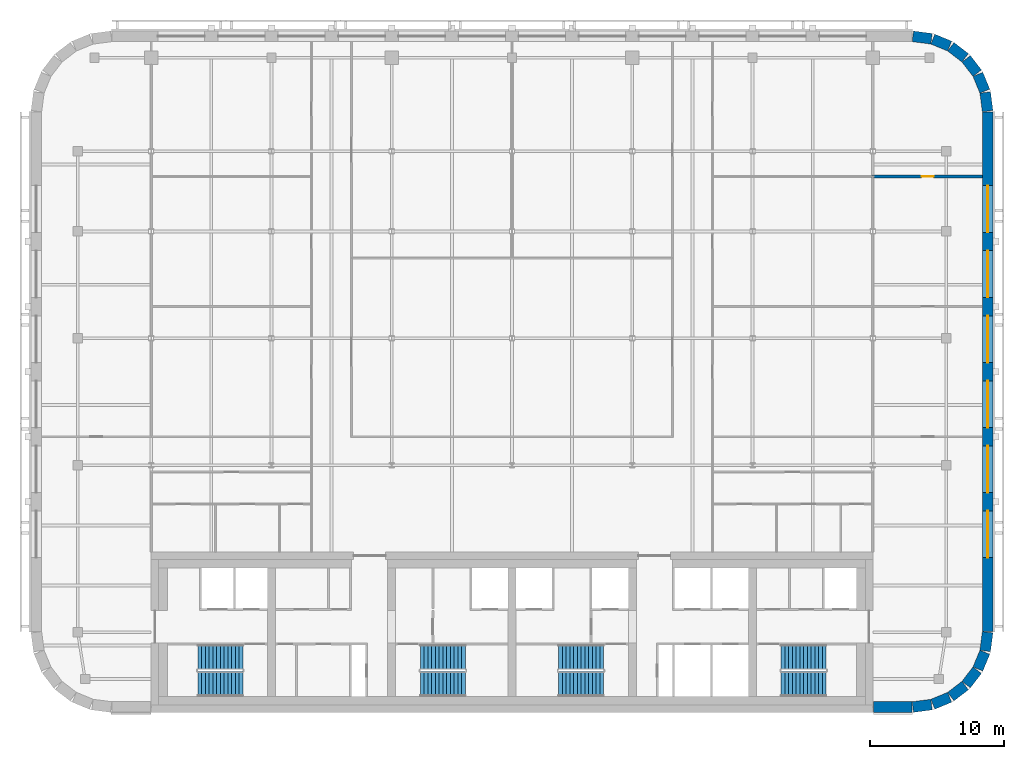
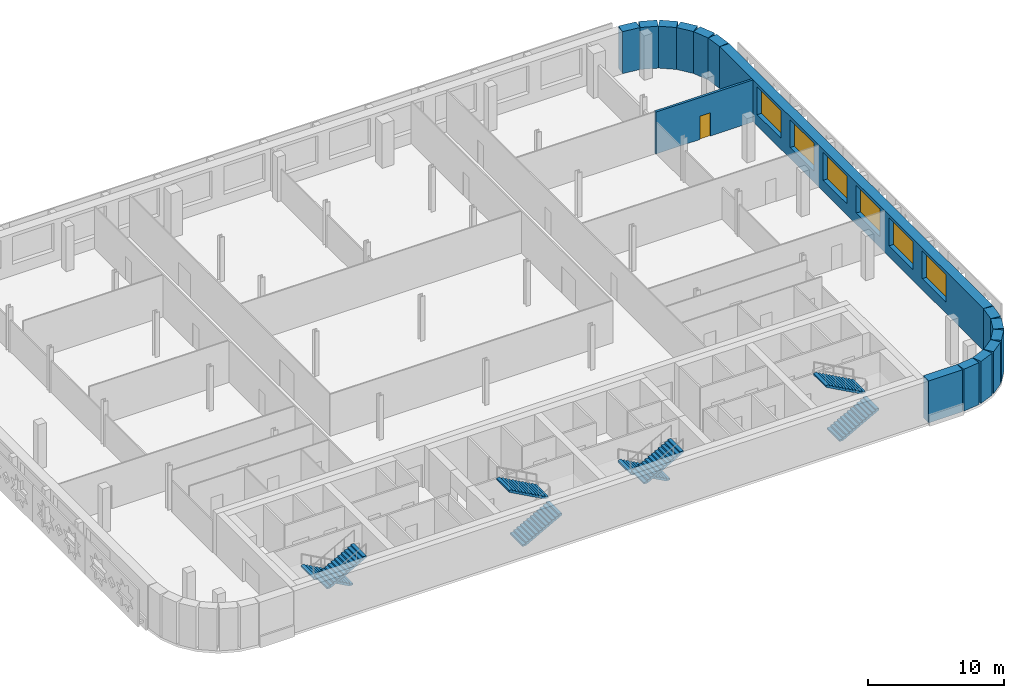
# One storey, part 11 of 16: 15 walls, 8 stair flights, 6 windows, 1 door, 7 openings, 4 elements without a shape of their own.
"""IFC4 building model written with IfcOpenShell, lengths in metres."""

import ifcopenshell
import ifcopenshell.guid

model = None  # the IFC model being written
_history = None  # IfcOwnerHistory: only IFC2X3 demands one
_inside = {}  # id of a spatial element -> (the spatial element, [elements in it])
_under = {}  # id of a project, library or spatial element -> (it, [spatial elements below it])
_declared = {}  # id of a project -> (the project, [libraries it declares])
_typed = {}  # id of a type object -> (the type object, [elements of that type])
_made_of = {}  # id of a material, layer set ... -> (it, [elements and type objects made of it])


def new_model(schema):
    """Start an empty IFC model of exactly this schema.

    Asked for "IFC4X3", IfcOpenShell would pick the latest addendum, in which some entities
    have other attributes; the version numbers below select the first issue.
    IFC2X3 requires an IfcOwnerHistory on every rooted entity: one is made here for all.
    """
    global model, _history
    if schema == "IFC4X3":
        model = ifcopenshell.file(schema_version=(4, 3, 0, 0))
    else:
        model = ifcopenshell.file(schema=schema)
    _inside.clear()
    _under.clear()
    _declared.clear()
    _typed.clear()
    _made_of.clear()
    _history = None
    if model.schema == "IFC2X3":
        org = make("IfcOrganization", Name="unknown")
        user = make(
            "IfcPersonAndOrganization",
            ThePerson=make("IfcPerson", FamilyName="unknown"),
            TheOrganization=org,
        )
        app = make(
            "IfcApplication",
            ApplicationDeveloper=org,
            Version="unknown",
            ApplicationFullName="unknown",
            ApplicationIdentifier="unknown",
        )
        _history = make(
            "IfcOwnerHistory",
            OwningUser=user,
            OwningApplication=app,
            ChangeAction="ADDED",
            CreationDate=0,
        )
    return model


def make(cls, **values):
    """One entity of the class cls with the attributes given. An attribute that is None is left unset."""
    return model.create_entity(
        cls, **{name: value for name, value in values.items() if value is not None}
    )


def rooted(cls, **values):
    """An entity with a GlobalId (a new one), such as an element, a storey or a relation."""
    return make(cls, GlobalId=ifcopenshell.guid.new(), OwnerHistory=_history, **values)


def si_unit(unit_type, name, prefix=None):
    """IfcSIUnit, for example si_unit("LENGTHUNIT", "METRE", prefix="MILLI")."""
    return make("IfcSIUnit", UnitType=unit_type, Prefix=prefix, Name=name)


def assignment(units):
    """IfcUnitAssignment: the units of a project."""
    return None if units is None else make("IfcUnitAssignment", Units=units)


def point(xyz):
    """IfcCartesianPoint."""
    return None if xyz is None else make("IfcCartesianPoint", Coordinates=xyz)


def direction(xyz):
    """IfcDirection."""
    return None if xyz is None else make("IfcDirection", DirectionRatios=xyz)


def frame(location, z_axis=None, x_axis=None):
    """IfcAxis2Placement3D, a coordinate frame: its origin and axes. An axis left out is left unset."""
    return make(
        "IfcAxis2Placement3D",
        Location=point(location),
        Axis=direction(z_axis),
        RefDirection=direction(x_axis),
    )


def frame_2d(location, x_axis=None):
    """IfcAxis2Placement2D, a coordinate frame in the plane: its origin and x axis."""
    return make(
        "IfcAxis2Placement2D", Location=point(location), RefDirection=direction(x_axis)
    )


def origin():
    """The frame at (0, 0, 0) with its axes left unset."""
    return frame((0.0, 0.0, 0.0))


def place(relative_to, where):
    """IfcLocalPlacement: puts the frame where relative to a parent placement (None: the world)."""
    return make(
        "IfcLocalPlacement", PlacementRelTo=relative_to, RelativePlacement=where
    )


def context(
    kind, dimensions, precision=None, world=None, true_north=None, identifier=None
):
    """IfcGeometricRepresentationContext, for example the 3D "Model" context."""
    return make(
        "IfcGeometricRepresentationContext",
        ContextIdentifier=identifier,
        ContextType=kind,
        CoordinateSpaceDimension=dimensions,
        Precision=precision,
        WorldCoordinateSystem=world,
        TrueNorth=true_north,
    )


def subcontext(parent, identifier, kind, view, scale=None):
    """IfcGeometricRepresentationSubContext, for example "Body" below "Model"."""
    return make(
        "IfcGeometricRepresentationSubContext",
        ContextIdentifier=identifier,
        ContextType=kind,
        ParentContext=parent,
        TargetScale=scale,
        TargetView=view,
    )


def project(units=None, contexts=None):
    """IfcProject with its units and contexts."""
    return rooted(
        "IfcProject",
        Name="project",
        RepresentationContexts=contexts,
        UnitsInContext=assignment(units),
    )


def spatial(cls, under=None, at=None, **own):
    """A site, building, storey or space (cls), placed at a placement, below another one or the project."""
    s = rooted(cls, ObjectPlacement=at, **own)
    if under is not None:
        _under.setdefault(under.id(), (under, []))[1].append(s)
    return s


def polyline(points):
    """IfcPolyline through the points."""
    return make("IfcPolyline", Points=[point(p) for p in points])


def profile(cls, at=None, kind="AREA", **sizes):
    """A parametric profile (cls). Its sizes go by their IFC names, for example OverallWidth=200.0."""
    return make(cls, ProfileType=kind, Position=at, **sizes)


def rectangle(**sizes):
    """IfcRectangleProfileDef."""
    return profile("IfcRectangleProfileDef", **sizes)


def outline(outer, holes=None, kind="AREA"):
    """IfcArbitraryClosedProfileDef: a profile drawn as a closed curve; with holes, ...WithVoids."""
    if holes is None:
        return make("IfcArbitraryClosedProfileDef", ProfileType=kind, OuterCurve=outer)
    return make(
        "IfcArbitraryProfileDefWithVoids",
        ProfileType=kind,
        OuterCurve=outer,
        InnerCurves=holes,
    )


def extrude(swept, where, along, depth):
    """IfcExtrudedAreaSolid: the profile swept, set in the frame where, extruded along a direction by depth."""
    return make(
        "IfcExtrudedAreaSolid",
        SweptArea=swept,
        Position=where,
        ExtrudedDirection=direction(along),
        Depth=depth,
    )


def shape(context_of_items, identifier, shape_type, items):
    """IfcShapeRepresentation: the items that make up one representation, for example the "Body"."""
    return make(
        "IfcShapeRepresentation",
        ContextOfItems=context_of_items,
        RepresentationIdentifier=identifier,
        RepresentationType=shape_type,
        Items=items,
    )


def material(Name=None, Category=None):
    """IfcMaterial."""
    return make("IfcMaterial", Name=Name, Category=Category)


def layer(
    of_material, thickness, ventilated=None, Name=None, Category=None, Priority=None
):
    """IfcMaterialLayer: one layer of a wall or slab, of a material (None: an air gap)."""
    return make(
        "IfcMaterialLayer",
        Material=of_material,
        LayerThickness=thickness,
        IsVentilated=ventilated,
        Name=Name,
        Category=Category,
        Priority=Priority,
    )


def layer_set(layers, Name=None):
    """IfcMaterialLayerSet."""
    return make("IfcMaterialLayerSet", MaterialLayers=layers, LayerSetName=Name)


def made_of(thing, what):
    """Note that an element or type object is made of a material, layer set ...; save() writes the relation."""
    if what is not None:
        _made_of.setdefault(what.id(), (what, []))[1].append(thing)
    return thing


def type_object(cls, material=None, **own):
    """A type object (cls), such as IfcWallType, which elements share."""
    return made_of(rooted(cls, **own), material)


def element(
    cls,
    number,
    at=None,
    inside=None,
    cuts=None,
    type_object=None,
    material=None,
    context=None,
    identifier="Body",
    shape_type=None,
    held_by="IfcProductDefinitionShape",
    body=None,
    shapes=None,
    **own,
):
    """One element of the class cls, such as IfcWall. Its Tag is "e" and its number.

    at: its placement. inside: the storey or other place that contains it. cuts: it is an
    opening in that element (IfcRelVoidsElement). A single representation is given by context,
    identifier, shape_type and body (its items); several are given by shapes. held_by: the class
    of the entity that holds the representations. save() writes the other relations.
    """
    e = rooted(cls, Tag="e%d" % number, ObjectPlacement=at, **own)
    if body is not None:
        shapes = [shape(context, identifier, shape_type, body)]
    if shapes is not None:
        e.Representation = make(held_by, Representations=shapes)
    if inside is not None:
        _inside.setdefault(inside.id(), (inside, []))[1].append(e)
    if cuts is not None:
        rooted(
            "IfcRelVoidsElement", RelatingBuildingElement=cuts, RelatedOpeningElement=e
        )
    if type_object is not None:
        _typed.setdefault(type_object.id(), (type_object, []))[1].append(e)
    return made_of(e, material)


def fill(opening, filler):
    """IfcRelFillsElement: the door or window that sits in an opening."""
    return rooted(
        "IfcRelFillsElement",
        RelatingOpeningElement=opening,
        RelatedBuildingElement=filler,
    )


def aggregate(whole, parts):
    """IfcRelAggregates: a whole, such as a stair, and the parts it consists of."""
    return rooted("IfcRelAggregates", RelatingObject=whole, RelatedObjects=parts)


def save(model, path):
    """Write the relations noted so far, then the file.

    IfcRelAggregates (storeys below a building ...), IfcRelContainedInSpatialStructure (elements
    in a storey), IfcRelDefinesByType, IfcRelAssociatesMaterial and IfcRelDeclares: one each for
    every whole, place, type object, material and project.
    """
    for whole, parts in _under.values():
        aggregate(whole, parts)
    for where, things in _inside.values():
        rooted(
            "IfcRelContainedInSpatialStructure",
            RelatedElements=things,
            RelatingStructure=where,
        )
    for kind, things in _typed.values():
        rooted("IfcRelDefinesByType", RelatedObjects=things, RelatingType=kind)
    for what, things in _made_of.values():
        rooted("IfcRelAssociatesMaterial", RelatedObjects=things, RelatingMaterial=what)
    for by, libraries in _declared.values():
        rooted("IfcRelDeclares", RelatingContext=by, RelatedDefinitions=libraries)
    model.write(path)


model = new_model("IFC4")

# Units and contexts
model_context = context("Model", 3, precision=1e-05, world=origin(), true_north=direction((0.0, 1.0)))
body_context = subcontext(model_context, "Body", "Model", "MODEL_VIEW")
ifc_project = project(units=[si_unit("LENGTHUNIT", "METRE"), si_unit("AREAUNIT", "SQUARE_METRE"), si_unit("VOLUMEUNIT", "CUBIC_METRE"), si_unit("PLANEANGLEUNIT", "RADIAN"), si_unit("MASSUNIT", "GRAM", prefix="KILO")], contexts=[model_context])

# Site, building, storey
site_placement = place(None, origin())
site = spatial("IfcSite", under=ifc_project, at=site_placement, CompositionType="ELEMENT")
building_placement = place(site_placement, origin())
building = spatial("IfcBuilding", under=site, at=building_placement, Name="Zellij Exchange Tower", CompositionType="ELEMENT")
storey_placement = place(building_placement, frame((0.0, 0.0, 280.5)))
storey = spatial("IfcBuildingStorey", under=building, at=storey_placement, Name="L66", CompositionType="ELEMENT", Elevation=280.5)

# Walls
ifc_material_1 = material(Name="Precast concrete C40/50", Category="concrete")
ifc_layer_1 = layer(ifc_material_1, 0.800048828125)
ifc_layer_set_1 = layer_set([ifc_layer_1], Name="Precast concrete C40/50")
wall_type_1 = type_object("IfcWallType", Name="ENV-EW1 Precast stone-piered wall 800", PredefinedType="SOLIDWALL", material=ifc_layer_set_1)
wall_1_placement = place(storey_placement, frame((27.050048828125, -13.60009765625, 0.0), z_axis=(0.0, 0.0, 1.0), x_axis=(1.0, 0.0, 0.0)))
element("IfcWall", 1, at=wall_1_placement, inside=storey, type_object=wall_type_1, Name="fac.L66.00b", PredefinedType="SOLIDWALL", context=body_context, shape_type="SweptSolid", body=[
    extrude(rectangle(XDim=2.8974609375, YDim=0.800048828125, at=frame_2d((1.44873046875, 0.0))), origin(), (0.0, 0.0, 1.0), 3.780029296875),
])
wall_2_placement = place(storey_placement, frame((29.999755859375, -13.5966796875, 0.0), z_axis=(0.0, 0.0, 1.0), x_axis=(0.99144603414, 0.130517283865, 0.0)))
element("IfcWall", 2, at=wall_2_placement, inside=storey, type_object=wall_type_1, Name="fac.L66.01", PredefinedType="SOLIDWALL", context=body_context, shape_type="SweptSolid", body=[
    extrude(rectangle(XDim=1.408447265625, YDim=0.800048828125, at=frame_2d((0.7041015625, 0.0))), origin(), (0.0, 0.0, 1.0), 3.780029296875),
])
wall_3_placement = place(storey_placement, frame((31.497314453125, -13.3857421875, 0.0), z_axis=(0.0, 0.0, 1.0), x_axis=(0.923847774587, 0.38276009378, 0.0)))
element("IfcWall", 3, at=wall_3_placement, inside=storey, type_object=wall_type_1, Name="fac.L66.02", PredefinedType="SOLIDWALL", context=body_context, shape_type="SweptSolid", body=[
    extrude(rectangle(XDim=1.35546875, YDim=0.800048828125, at=frame_2d((0.677734375, 0.0))), origin(), (0.0, 0.0, 1.0), 3.780029296875),
])
for number, where, z_axis, x_axis, name in (
    (4, (32.840087890625, -12.814697265625, 0.0), (0.0, 0.0, 1.0), (0.793272915452, 0.608866226366, 0.0), "fac.L66.03"),
    (5, (33.9892578125, -11.91552734375, 0.0), (0.0, 0.0, 1.0), (0.608866226366, 0.793272915452, 0.0), "fac.L66.04"),
):
    element("IfcWall", number, at=place(storey_placement, frame(where, z_axis=z_axis, x_axis=x_axis)), inside=storey, type_object=wall_type_1, Name=name, PredefinedType="SOLIDWALL", context=body_context, shape_type="SweptSolid", body=[
        extrude(rectangle(XDim=1.355712890625, YDim=0.800048828125, at=frame_2d((0.677734375, 0.0))), origin(), (0.0, 0.0, 1.0), 3.780029296875),
    ])
wall_4_placement = place(storey_placement, frame((34.866943359375, -10.74951171875, 0.0), z_axis=(0.0, 0.0, 1.0), x_axis=(0.38276009378, 0.923847774587, 0.0)))
element("IfcWall", 6, at=wall_4_placement, inside=storey, type_object=wall_type_1, Name="fac.L66.05", PredefinedType="SOLIDWALL", context=body_context, shape_type="SweptSolid", body=[
    extrude(rectangle(XDim=1.35546875, YDim=0.800048828125, at=frame_2d((0.677734375, 0.0))), origin(), (0.0, 0.0, 1.0), 3.780029296875),
])
wall_5_placement = place(storey_placement, frame((35.412841796875, -9.396240234375, 0.0), z_axis=(0.0, 0.0, 1.0), x_axis=(0.130517283865, 0.99144603414, 0.0)))
element("IfcWall", 7, at=wall_5_placement, inside=storey, type_object=wall_type_1, Name="fac.L66.06", PredefinedType="SOLIDWALL", context=body_context, shape_type="SweptSolid", body=[
    extrude(rectangle(XDim=1.408447265625, YDim=0.800048828125, at=frame_2d((0.7041015625, 0.0))), origin(), (0.0, 0.0, 1.0), 3.780029296875),
])

# Wall, openings, windows
wall_6_placement = place(storey_placement, frame((35.60009765625, -7.947509765625, 0.0), z_axis=(0.0, 0.0, 1.0), x_axis=(0.0, 1.0, 0.0)))
wall_6 = element("IfcWall", 8, at=wall_6_placement, inside=storey, type_object=wall_type_1, Name="fac.L66.07", PredefinedType="SOLIDWALL", context=body_context, shape_type="SweptSolid", body=[
    extrude(rectangle(XDim=38.89501953125, YDim=0.800048828125, at=frame_2d((19.447509765625, 0.0))), origin(), (0.0, 0.0, 1.0), 3.780029296875),
])
opening_1_placement = place(wall_6_placement, frame((5.5263671875, 0.0, 1.0)))
opening_1 = element("IfcOpeningElement", 9, at=opening_1_placement, cuts=wall_6, Name="Opening FC1.01", PredefinedType="OPENING", context=body_context, shape_type="SweptSolid", body=[
    extrude(rectangle(XDim=3.5, YDim=2.5, at=frame_2d((1.75, 1.25))), frame((0.0, 0.412109375, 0.0), z_axis=(0.0, -1.0, 0.0), x_axis=(1.0, 0.0, 0.0)), (0.0, 0.0, 1.0), 0.823974609375),
])
opening_2_placement = place(wall_6_placement, frame((10.39501953125, 0.0, 1.0)))
opening_2 = element("IfcOpeningElement", 10, at=opening_2_placement, cuts=wall_6, Name="Opening FC1.02", PredefinedType="OPENING", context=body_context, shape_type="SweptSolid", body=[
    extrude(rectangle(XDim=3.5, YDim=2.5, at=frame_2d((1.75, 1.25))), frame((0.0, 0.412109375, 0.0), z_axis=(0.0, -1.0, 0.0), x_axis=(1.0, 0.0, 0.0)), (0.0, 0.0, 1.0), 0.823974609375),
])
opening_3_placement = place(wall_6_placement, frame((15.26318359375, 0.0, 1.0)))
opening_3 = element("IfcOpeningElement", 11, at=opening_3_placement, cuts=wall_6, Name="Opening FC1.03", PredefinedType="OPENING", context=body_context, shape_type="SweptSolid", body=[
    extrude(rectangle(XDim=3.5, YDim=2.5, at=frame_2d((1.75, 1.25))), frame((0.0, 0.412109375, 0.0), z_axis=(0.0, -1.0, 0.0), x_axis=(1.0, 0.0, 0.0)), (0.0, 0.0, 1.0), 0.823974609375),
])
opening_4_placement = place(wall_6_placement, frame((20.1318359375, 0.0, 1.0)))
opening_4 = element("IfcOpeningElement", 12, at=opening_4_placement, cuts=wall_6, Name="Opening FC1.04", PredefinedType="OPENING", context=body_context, shape_type="SweptSolid", body=[
    extrude(rectangle(XDim=3.5, YDim=2.5, at=frame_2d((1.75, 1.25))), frame((0.0, 0.412109375, 0.0), z_axis=(0.0, -1.0, 0.0), x_axis=(1.0, 0.0, 0.0)), (0.0, 0.0, 1.0), 0.823974609375),
])
opening_5_placement = place(wall_6_placement, frame((25.000244140625, 0.0, 1.0)))
opening_5 = element("IfcOpeningElement", 13, at=opening_5_placement, cuts=wall_6, Name="Opening FC1.05", PredefinedType="OPENING", context=body_context, shape_type="SweptSolid", body=[
    extrude(rectangle(XDim=3.5, YDim=2.5, at=frame_2d((1.75, 1.25))), frame((0.0, 0.412109375, 0.0), z_axis=(0.0, -1.0, 0.0), x_axis=(1.0, 0.0, 0.0)), (0.0, 0.0, 1.0), 0.823974609375),
])
opening_6_placement = place(wall_6_placement, frame((29.86865234375, 0.0, 1.0)))
opening_6 = element("IfcOpeningElement", 14, at=opening_6_placement, cuts=wall_6, Name="Opening FC1.06", PredefinedType="OPENING", context=body_context, shape_type="SweptSolid", body=[
    extrude(rectangle(XDim=3.5, YDim=2.5, at=frame_2d((1.75, 1.25))), frame((0.0, 0.412109375, 0.0), z_axis=(0.0, -1.0, 0.0), x_axis=(1.0, 0.0, 0.0)), (0.0, 0.0, 1.0), 0.823974609375),
])
ifc_material_2 = material(Name="Aluminium frame with insulating glass", Category="aluminium")
window_type = type_object("IfcWindowType", Name="ENV-W1 Window 3500x2500", PartitioningType="SINGLE_PANEL", PredefinedType="WINDOW", material=ifc_material_2)
window_1_placement = place(opening_1_placement, origin())
window_1 = element("IfcWindow", 15, at=window_1_placement, inside=storey, type_object=window_type, Name="Window FC1.01", OverallHeight=2.5, OverallWidth=3.5, PartitioningType="SINGLE_PANEL", PredefinedType="WINDOW", context=body_context, shape_type="SweptSolid", body=[
    extrude(rectangle(XDim=3.5, YDim=2.5, at=frame_2d((1.75, 1.25))), frame((0.0, 0.030029296875, 0.0), z_axis=(0.0, -1.0, 0.0), x_axis=(1.0, 0.0, 0.0)), (0.0, 0.0, 1.0), 0.06005859375),
])
fill(opening_1, window_1)
window_2_placement = place(opening_2_placement, origin())
window_2 = element("IfcWindow", 16, at=window_2_placement, inside=storey, type_object=window_type, Name="Window FC1.02", OverallHeight=2.5, OverallWidth=3.5, PartitioningType="SINGLE_PANEL", PredefinedType="WINDOW", context=body_context, shape_type="SweptSolid", body=[
    extrude(rectangle(XDim=3.5, YDim=2.5, at=frame_2d((1.75, 1.25))), frame((0.0, 0.030029296875, 0.0), z_axis=(0.0, -1.0, 0.0), x_axis=(1.0, 0.0, 0.0)), (0.0, 0.0, 1.0), 0.06005859375),
])
fill(opening_2, window_2)
window_3_placement = place(opening_3_placement, origin())
window_3 = element("IfcWindow", 17, at=window_3_placement, inside=storey, type_object=window_type, Name="Window FC1.03", OverallHeight=2.5, OverallWidth=3.5, PartitioningType="SINGLE_PANEL", PredefinedType="WINDOW", context=body_context, shape_type="SweptSolid", body=[
    extrude(rectangle(XDim=3.5, YDim=2.5, at=frame_2d((1.75, 1.25))), frame((0.0, 0.030029296875, 0.0), z_axis=(0.0, -1.0, 0.0), x_axis=(1.0, 0.0, 0.0)), (0.0, 0.0, 1.0), 0.06005859375),
])
fill(opening_3, window_3)
window_4_placement = place(opening_4_placement, origin())
window_4 = element("IfcWindow", 18, at=window_4_placement, inside=storey, type_object=window_type, Name="Window FC1.04", OverallHeight=2.5, OverallWidth=3.5, PartitioningType="SINGLE_PANEL", PredefinedType="WINDOW", context=body_context, shape_type="SweptSolid", body=[
    extrude(rectangle(XDim=3.5, YDim=2.5, at=frame_2d((1.75, 1.25))), frame((0.0, 0.030029296875, 0.0), z_axis=(0.0, -1.0, 0.0), x_axis=(1.0, 0.0, 0.0)), (0.0, 0.0, 1.0), 0.06005859375),
])
fill(opening_4, window_4)
window_5_placement = place(opening_5_placement, origin())
window_5 = element("IfcWindow", 19, at=window_5_placement, inside=storey, type_object=window_type, Name="Window FC1.05", OverallHeight=2.5, OverallWidth=3.5, PartitioningType="SINGLE_PANEL", PredefinedType="WINDOW", context=body_context, shape_type="SweptSolid", body=[
    extrude(rectangle(XDim=3.5, YDim=2.5, at=frame_2d((1.75, 1.25))), frame((0.0, 0.030029296875, 0.0), z_axis=(0.0, -1.0, 0.0), x_axis=(1.0, 0.0, 0.0)), (0.0, 0.0, 1.0), 0.06005859375),
])
fill(opening_5, window_5)
window_6_placement = place(opening_6_placement, origin())
window_6 = element("IfcWindow", 20, at=window_6_placement, inside=storey, type_object=window_type, Name="Window FC1.06", OverallHeight=2.5, OverallWidth=3.5, PartitioningType="SINGLE_PANEL", PredefinedType="WINDOW", context=body_context, shape_type="SweptSolid", body=[
    extrude(rectangle(XDim=3.5, YDim=2.5, at=frame_2d((1.75, 1.25))), frame((0.0, 0.030029296875, 0.0), z_axis=(0.0, -1.0, 0.0), x_axis=(1.0, 0.0, 0.0)), (0.0, 0.0, 1.0), 0.06005859375),
])
fill(opening_6, window_6)

# Walls
wall_7_placement = place(storey_placement, frame((35.5966796875, 30.999755859375, 0.0), z_axis=(0.0, 0.0, 1.0), x_axis=(-0.130517283865, 0.99144603414, 0.0)))
element("IfcWall", 21, at=wall_7_placement, inside=storey, type_object=wall_type_1, Name="fac.L66.08", PredefinedType="SOLIDWALL", context=body_context, shape_type="SweptSolid", body=[
    extrude(rectangle(XDim=1.408447265625, YDim=0.800048828125, at=frame_2d((0.7041015625, 0.0))), origin(), (0.0, 0.0, 1.0), 3.780029296875),
])
wall_8_placement = place(storey_placement, frame((35.3857421875, 32.497314453125, 0.0), z_axis=(0.0, 0.0, 1.0), x_axis=(-0.38276009378, 0.923847774587, 0.0)))
element("IfcWall", 22, at=wall_8_placement, inside=storey, type_object=wall_type_1, Name="fac.L66.09", PredefinedType="SOLIDWALL", context=body_context, shape_type="SweptSolid", body=[
    extrude(rectangle(XDim=1.35546875, YDim=0.800048828125, at=frame_2d((0.677734375, 0.0))), origin(), (0.0, 0.0, 1.0), 3.780029296875),
])
for number, where, z_axis, x_axis, name in (
    (23, (34.814697265625, 33.840087890625, 0.0), (0.0, 0.0, 1.0), (-0.608866226366, 0.793272915452, 0.0), "fac.L66.10"),
    (24, (33.91552734375, 34.9892578125, 0.0), (0.0, 0.0, 1.0), (-0.793272915452, 0.608866226366, 0.0), "fac.L66.11"),
):
    element("IfcWall", number, at=place(storey_placement, frame(where, z_axis=z_axis, x_axis=x_axis)), inside=storey, type_object=wall_type_1, Name=name, PredefinedType="SOLIDWALL", context=body_context, shape_type="SweptSolid", body=[
        extrude(rectangle(XDim=1.355712890625, YDim=0.800048828125, at=frame_2d((0.677734375, 0.0))), origin(), (0.0, 0.0, 1.0), 3.780029296875),
    ])
wall_9_placement = place(storey_placement, frame((32.74951171875, 35.866943359375, 0.0), z_axis=(0.0, 0.0, 1.0), x_axis=(-0.923847774587, 0.38276009378, 0.0)))
element("IfcWall", 25, at=wall_9_placement, inside=storey, type_object=wall_type_1, Name="fac.L66.12", PredefinedType="SOLIDWALL", context=body_context, shape_type="SweptSolid", body=[
    extrude(rectangle(XDim=1.35546875, YDim=0.800048828125, at=frame_2d((0.677734375, 0.0))), origin(), (0.0, 0.0, 1.0), 3.780029296875),
])
wall_10_placement = place(storey_placement, frame((31.396240234375, 36.412841796875, 0.0), z_axis=(0.0, 0.0, 1.0), x_axis=(-0.99144603414, 0.130517283865, 0.0)))
element("IfcWall", 26, at=wall_10_placement, inside=storey, type_object=wall_type_1, Name="fac.L66.13", PredefinedType="SOLIDWALL", context=body_context, shape_type="SweptSolid", body=[
    extrude(rectangle(XDim=1.408447265625, YDim=0.800048828125, at=frame_2d((0.7041015625, 0.0))), origin(), (0.0, 0.0, 1.0), 3.780029296875),
])

# Wall, opening, door
ifc_material_3 = material(Name="Blockwork partition", Category="masonry")
ifc_layer_2 = layer(ifc_material_3, 0.199951171875)
ifc_layer_set_2 = layer_set([ifc_layer_2], Name="Blockwork partition")
wall_type_2 = type_object("IfcWallType", Name="FIT-BLOCKWORK-200", PredefinedType="PARTITIONING", material=ifc_layer_set_2)
wall_11_placement = place(storey_placement, frame((26.89990234375, 26.110107421875, 0.0), z_axis=(0.0, 0.0, 1.0), x_axis=(1.0, 0.0, 0.0)))
wall_11 = element("IfcWall", 27, at=wall_11_placement, inside=storey, type_object=wall_type_2, Name="FIT-BLOCKWORK-200 036", PredefinedType="PARTITIONING", context=body_context, shape_type="SweptSolid", body=[
    extrude(rectangle(XDim=8.300048828125, YDim=0.199951171875, at=frame_2d((4.14990234375, 0.0))), origin(), (0.0, 0.0, 1.0), 3.780029296875),
])
opening_7_placement = place(wall_11_placement, frame((3.75, 0.0, 0.0)))
opening_7 = element("IfcOpeningElement", 28, at=opening_7_placement, cuts=wall_11, Name="Opening EX3.18", PredefinedType="OPENING", context=body_context, shape_type="SweptSolid", body=[
    extrude(rectangle(XDim=0.89990234375, YDim=2.10009765625, at=frame_2d((0.449951171875, 1.050048828125))), frame((0.0, 0.11181640625, 0.0), z_axis=(0.0, -1.0, 0.0), x_axis=(1.0, 0.0, 0.0)), (0.0, 0.0, 1.0), 0.223876953125),
])
ifc_material_4 = material(Name="Timber door set", Category="wood")
door_type = type_object("IfcDoorType", Name="FIT-D1-ROOM-900X2100", OperationType="SINGLE_SWING_LEFT", PredefinedType="DOOR", material=ifc_material_4)
door_placement = place(opening_7_placement, origin())
door = element("IfcDoor", 29, at=door_placement, inside=storey, type_object=door_type, Name="Door EX3.18", OperationType="SINGLE_SWING_LEFT", OverallHeight=2.10009765625, OverallWidth=0.89990234375, PredefinedType="DOOR", context=body_context, shape_type="SweptSolid", body=[
    extrude(rectangle(XDim=0.89990234375, YDim=2.10009765625, at=frame_2d((0.449951171875, 1.050048828125))), frame((0.0, 0.02490234375, 0.0), z_axis=(0.0, -1.0, 0.0), x_axis=(1.0, 0.0, 0.0)), (0.0, 0.0, 1.0), 0.050048828125),
])
fill(opening_7, door)

# Stair, stair flights
ifc_material_5 = material(Name="Concrete C40/50", Category="concrete")
stair_type = type_object("IfcStairType", Name="CORE-ST exit stair 1850 wide", PredefinedType="HALF_TURN_STAIR", material=ifc_material_5)
stair_1_placement = place(storey_placement, origin())
stair_1 = element("IfcStair", 30, at=stair_1_placement, inside=storey, type_object=stair_type, Name="L66 exit stair ST1", PredefinedType="HALF_TURN_STAIR")
stair_flight_type = type_object("IfcStairFlightType", Name="CORE-SF flight 1850 riser 153.8 going 280", PredefinedType="STRAIGHT", material=ifc_material_5)
stair_flight_1_placement = place(storey_placement, frame((-20.14990234375, -9.875, 0.0), z_axis=(0.0, 0.0, 1.0), x_axis=(-1.0, 0.0, 0.0)))
stair_flight_1 = element("IfcStairFlight", 31, at=stair_flight_1_placement, type_object=stair_flight_type, Name="ST1 flight 1", NumberOfRisers=13, NumberOfTreads=12, PredefinedType="STRAIGHT", RiserHeight=0.153846154, TreadLength=0.28, context=body_context, shape_type="SweptSolid", body=[
    extrude(outline(polyline([(0.0, 0.0), (0.0, 0.15380859375), (0.280029296875, 0.15380859375), (0.280029296875, 0.3076171875), (0.56005859375, 0.3076171875), (0.56005859375, 0.46142578125), (0.840087890625, 0.46142578125), (0.840087890625, 0.615478515625), (1.1201171875, 0.615478515625), (1.1201171875, 0.769287109375), (1.39990234375, 0.769287109375), (1.39990234375, 0.923095703125), (1.679931640625, 0.923095703125), (1.679931640625, 1.076904296875), (1.9599609375, 1.076904296875), (1.9599609375, 1.230712890625), (2.239990234375, 1.230712890625), (2.239990234375, 1.384521484375), (2.52001953125, 1.384521484375), (2.52001953125, 1.53857421875), (2.800048828125, 1.53857421875), (2.800048828125, 1.6923828125), (3.080078125, 1.6923828125), (3.080078125, 1.84619140625), (3.360107421875, 1.84619140625), (3.360107421875, 2.0), (3.360107421875, 1.675048828125), (0.311279296875, 0.0), (0.0, 0.0)])), frame((0.0, 0.925048828125, 0.0), z_axis=(0.0, -1.0, 0.0), x_axis=(1.0, 0.0, 0.0)), (0.0, 0.0, 1.0), 1.85009765625),
])
stair_flight_2_placement = place(storey_placement, frame((-23.510009765625, -11.875, 2.0), z_axis=(0.0, 0.0, 1.0), x_axis=(1.0, 0.0, 0.0)))
stair_flight_2 = element("IfcStairFlight", 32, at=stair_flight_2_placement, type_object=stair_flight_type, Name="ST1 flight 2", NumberOfRisers=13, NumberOfTreads=12, PredefinedType="STRAIGHT", RiserHeight=0.153846154, TreadLength=0.28, context=body_context, shape_type="SweptSolid", body=[
    extrude(outline(polyline([(0.0, 0.0), (0.0, 0.15380859375), (0.280029296875, 0.15380859375), (0.280029296875, 0.3076171875), (0.56005859375, 0.3076171875), (0.56005859375, 0.46142578125), (0.840087890625, 0.46142578125), (0.840087890625, 0.615478515625), (1.1201171875, 0.615478515625), (1.1201171875, 0.769287109375), (1.39990234375, 0.769287109375), (1.39990234375, 0.923095703125), (1.679931640625, 0.923095703125), (1.679931640625, 1.076904296875), (1.9599609375, 1.076904296875), (1.9599609375, 1.230712890625), (2.239990234375, 1.230712890625), (2.239990234375, 1.384521484375), (2.52001953125, 1.384521484375), (2.52001953125, 1.53857421875), (2.800048828125, 1.53857421875), (2.800048828125, 1.6923828125), (3.080078125, 1.6923828125), (3.080078125, 1.84619140625), (3.360107421875, 1.84619140625), (3.360107421875, 2.0), (3.360107421875, 1.675048828125), (0.311279296875, 0.0), (0.0, 0.0)])), frame((0.0, 0.925048828125, 0.0), z_axis=(0.0, -1.0, 0.0), x_axis=(1.0, 0.0, 0.0)), (0.0, 0.0, 1.0), 1.85009765625),
])
aggregate(stair_1, [stair_flight_1, stair_flight_2])

stair_2_placement = place(storey_placement, origin())
stair_2 = element("IfcStair", 33, at=stair_2_placement, inside=storey, type_object=stair_type, Name="L66 exit stair ST2", PredefinedType="HALF_TURN_STAIR")
stair_flight_3_placement = place(storey_placement, frame((-6.85009765625, -11.875, 0.0), z_axis=(0.0, 0.0, 1.0), x_axis=(1.0, 0.0, 0.0)))
stair_flight_3 = element("IfcStairFlight", 34, at=stair_flight_3_placement, type_object=stair_flight_type, Name="ST2 flight 1", NumberOfRisers=13, NumberOfTreads=12, PredefinedType="STRAIGHT", RiserHeight=0.153846154, TreadLength=0.28, context=body_context, shape_type="SweptSolid", body=[
    extrude(outline(polyline([(0.0, 0.0), (0.0, 0.15380859375), (0.280029296875, 0.15380859375), (0.280029296875, 0.3076171875), (0.56005859375, 0.3076171875), (0.56005859375, 0.46142578125), (0.840087890625, 0.46142578125), (0.840087890625, 0.615478515625), (1.1201171875, 0.615478515625), (1.1201171875, 0.769287109375), (1.39990234375, 0.769287109375), (1.39990234375, 0.923095703125), (1.679931640625, 0.923095703125), (1.679931640625, 1.076904296875), (1.9599609375, 1.076904296875), (1.9599609375, 1.230712890625), (2.239990234375, 1.230712890625), (2.239990234375, 1.384521484375), (2.52001953125, 1.384521484375), (2.52001953125, 1.53857421875), (2.800048828125, 1.53857421875), (2.800048828125, 1.6923828125), (3.080078125, 1.6923828125), (3.080078125, 1.84619140625), (3.360107421875, 1.84619140625), (3.360107421875, 2.0), (3.360107421875, 1.675048828125), (0.311279296875, 0.0), (0.0, 0.0)])), frame((0.0, 0.925048828125, 0.0), z_axis=(0.0, -1.0, 0.0), x_axis=(1.0, 0.0, 0.0)), (0.0, 0.0, 1.0), 1.85009765625),
])
stair_flight_4_placement = place(storey_placement, frame((-3.489990234375, -9.875, 2.0), z_axis=(0.0, 0.0, 1.0), x_axis=(-1.0, 0.0, 0.0)))
stair_flight_4 = element("IfcStairFlight", 35, at=stair_flight_4_placement, type_object=stair_flight_type, Name="ST2 flight 2", NumberOfRisers=13, NumberOfTreads=12, PredefinedType="STRAIGHT", RiserHeight=0.153846154, TreadLength=0.28, context=body_context, shape_type="SweptSolid", body=[
    extrude(outline(polyline([(0.0, 0.0), (0.0, 0.15380859375), (0.280029296875, 0.15380859375), (0.280029296875, 0.3076171875), (0.56005859375, 0.3076171875), (0.56005859375, 0.46142578125), (0.840087890625, 0.46142578125), (0.840087890625, 0.615478515625), (1.1201171875, 0.615478515625), (1.1201171875, 0.769287109375), (1.39990234375, 0.769287109375), (1.39990234375, 0.923095703125), (1.679931640625, 0.923095703125), (1.679931640625, 1.076904296875), (1.9599609375, 1.076904296875), (1.9599609375, 1.230712890625), (2.239990234375, 1.230712890625), (2.239990234375, 1.384521484375), (2.52001953125, 1.384521484375), (2.52001953125, 1.53857421875), (2.800048828125, 1.53857421875), (2.800048828125, 1.6923828125), (3.080078125, 1.6923828125), (3.080078125, 1.84619140625), (3.360107421875, 1.84619140625), (3.360107421875, 2.0), (3.360107421875, 1.675048828125), (0.311279296875, 0.0), (0.0, 0.0)])), frame((0.0, 0.925048828125, 0.0), z_axis=(0.0, -1.0, 0.0), x_axis=(1.0, 0.0, 0.0)), (0.0, 0.0, 1.0), 1.85009765625),
])
aggregate(stair_2, [stair_flight_3, stair_flight_4])

stair_3_placement = place(storey_placement, origin())
stair_3 = element("IfcStair", 36, at=stair_3_placement, inside=storey, type_object=stair_type, Name="L66 exit stair ST3", PredefinedType="HALF_TURN_STAIR")
stair_flight_5_placement = place(storey_placement, frame((6.85009765625, -9.875, 0.0), z_axis=(0.0, 0.0, 1.0), x_axis=(-1.0, 0.0, 0.0)))
stair_flight_5 = element("IfcStairFlight", 37, at=stair_flight_5_placement, type_object=stair_flight_type, Name="ST3 flight 1", NumberOfRisers=13, NumberOfTreads=12, PredefinedType="STRAIGHT", RiserHeight=0.153846154, TreadLength=0.28, context=body_context, shape_type="SweptSolid", body=[
    extrude(outline(polyline([(0.0, 0.0), (0.0, 0.15380859375), (0.280029296875, 0.15380859375), (0.280029296875, 0.3076171875), (0.56005859375, 0.3076171875), (0.56005859375, 0.46142578125), (0.840087890625, 0.46142578125), (0.840087890625, 0.615478515625), (1.1201171875, 0.615478515625), (1.1201171875, 0.769287109375), (1.39990234375, 0.769287109375), (1.39990234375, 0.923095703125), (1.679931640625, 0.923095703125), (1.679931640625, 1.076904296875), (1.9599609375, 1.076904296875), (1.9599609375, 1.230712890625), (2.239990234375, 1.230712890625), (2.239990234375, 1.384521484375), (2.52001953125, 1.384521484375), (2.52001953125, 1.53857421875), (2.800048828125, 1.53857421875), (2.800048828125, 1.6923828125), (3.080078125, 1.6923828125), (3.080078125, 1.84619140625), (3.360107421875, 1.84619140625), (3.360107421875, 2.0), (3.360107421875, 1.675048828125), (0.311279296875, 0.0), (0.0, 0.0)])), frame((0.0, 0.925048828125, 0.0), z_axis=(0.0, -1.0, 0.0), x_axis=(1.0, 0.0, 0.0)), (0.0, 0.0, 1.0), 1.85009765625),
])
stair_flight_6_placement = place(storey_placement, frame((3.489990234375, -11.875, 2.0), z_axis=(0.0, 0.0, 1.0), x_axis=(1.0, 0.0, 0.0)))
stair_flight_6 = element("IfcStairFlight", 38, at=stair_flight_6_placement, type_object=stair_flight_type, Name="ST3 flight 2", NumberOfRisers=13, NumberOfTreads=12, PredefinedType="STRAIGHT", RiserHeight=0.153846154, TreadLength=0.28, context=body_context, shape_type="SweptSolid", body=[
    extrude(outline(polyline([(0.0, 0.0), (0.0, 0.15380859375), (0.280029296875, 0.15380859375), (0.280029296875, 0.3076171875), (0.56005859375, 0.3076171875), (0.56005859375, 0.46142578125), (0.840087890625, 0.46142578125), (0.840087890625, 0.615478515625), (1.1201171875, 0.615478515625), (1.1201171875, 0.769287109375), (1.39990234375, 0.769287109375), (1.39990234375, 0.923095703125), (1.679931640625, 0.923095703125), (1.679931640625, 1.076904296875), (1.9599609375, 1.076904296875), (1.9599609375, 1.230712890625), (2.239990234375, 1.230712890625), (2.239990234375, 1.384521484375), (2.52001953125, 1.384521484375), (2.52001953125, 1.53857421875), (2.800048828125, 1.53857421875), (2.800048828125, 1.6923828125), (3.080078125, 1.6923828125), (3.080078125, 1.84619140625), (3.360107421875, 1.84619140625), (3.360107421875, 2.0), (3.360107421875, 1.675048828125), (0.311279296875, 0.0), (0.0, 0.0)])), frame((0.0, 0.925048828125, 0.0), z_axis=(0.0, -1.0, 0.0), x_axis=(1.0, 0.0, 0.0)), (0.0, 0.0, 1.0), 1.85009765625),
])
aggregate(stair_3, [stair_flight_5, stair_flight_6])

stair_4_placement = place(storey_placement, origin())
stair_4 = element("IfcStair", 39, at=stair_4_placement, inside=storey, type_object=stair_type, Name="L66 exit stair ST4", PredefinedType="HALF_TURN_STAIR")
stair_flight_7_placement = place(storey_placement, frame((20.14990234375, -11.875, 0.0), z_axis=(0.0, 0.0, 1.0), x_axis=(1.0, 0.0, 0.0)))
stair_flight_7 = element("IfcStairFlight", 40, at=stair_flight_7_placement, type_object=stair_flight_type, Name="ST4 flight 1", NumberOfRisers=13, NumberOfTreads=12, PredefinedType="STRAIGHT", RiserHeight=0.153846154, TreadLength=0.28, context=body_context, shape_type="SweptSolid", body=[
    extrude(outline(polyline([(0.0, 0.0), (0.0, 0.15380859375), (0.280029296875, 0.15380859375), (0.280029296875, 0.3076171875), (0.56005859375, 0.3076171875), (0.56005859375, 0.46142578125), (0.840087890625, 0.46142578125), (0.840087890625, 0.615478515625), (1.1201171875, 0.615478515625), (1.1201171875, 0.769287109375), (1.39990234375, 0.769287109375), (1.39990234375, 0.923095703125), (1.679931640625, 0.923095703125), (1.679931640625, 1.076904296875), (1.9599609375, 1.076904296875), (1.9599609375, 1.230712890625), (2.239990234375, 1.230712890625), (2.239990234375, 1.384521484375), (2.52001953125, 1.384521484375), (2.52001953125, 1.53857421875), (2.800048828125, 1.53857421875), (2.800048828125, 1.6923828125), (3.080078125, 1.6923828125), (3.080078125, 1.84619140625), (3.360107421875, 1.84619140625), (3.360107421875, 2.0), (3.360107421875, 1.675048828125), (0.311279296875, 0.0), (0.0, 0.0)])), frame((0.0, 0.925048828125, 0.0), z_axis=(0.0, -1.0, 0.0), x_axis=(1.0, 0.0, 0.0)), (0.0, 0.0, 1.0), 1.85009765625),
])
stair_flight_8_placement = place(storey_placement, frame((23.510009765625, -9.875, 2.0), z_axis=(0.0, 0.0, 1.0), x_axis=(-1.0, 0.0, 0.0)))
stair_flight_8 = element("IfcStairFlight", 41, at=stair_flight_8_placement, type_object=stair_flight_type, Name="ST4 flight 2", NumberOfRisers=13, NumberOfTreads=12, PredefinedType="STRAIGHT", RiserHeight=0.153846154, TreadLength=0.28, context=body_context, shape_type="SweptSolid", body=[
    extrude(outline(polyline([(0.0, 0.0), (0.0, 0.15380859375), (0.280029296875, 0.15380859375), (0.280029296875, 0.3076171875), (0.56005859375, 0.3076171875), (0.56005859375, 0.46142578125), (0.840087890625, 0.46142578125), (0.840087890625, 0.615478515625), (1.1201171875, 0.615478515625), (1.1201171875, 0.769287109375), (1.39990234375, 0.769287109375), (1.39990234375, 0.923095703125), (1.679931640625, 0.923095703125), (1.679931640625, 1.076904296875), (1.9599609375, 1.076904296875), (1.9599609375, 1.230712890625), (2.239990234375, 1.230712890625), (2.239990234375, 1.384521484375), (2.52001953125, 1.384521484375), (2.52001953125, 1.53857421875), (2.800048828125, 1.53857421875), (2.800048828125, 1.6923828125), (3.080078125, 1.6923828125), (3.080078125, 1.84619140625), (3.360107421875, 1.84619140625), (3.360107421875, 2.0), (3.360107421875, 1.675048828125), (0.311279296875, 0.0), (0.0, 0.0)])), frame((0.0, 0.925048828125, 0.0), z_axis=(0.0, -1.0, 0.0), x_axis=(1.0, 0.0, 0.0)), (0.0, 0.0, 1.0), 1.85009765625),
])
aggregate(stair_4, [stair_flight_7, stair_flight_8])

save(model, "model.ifc")
